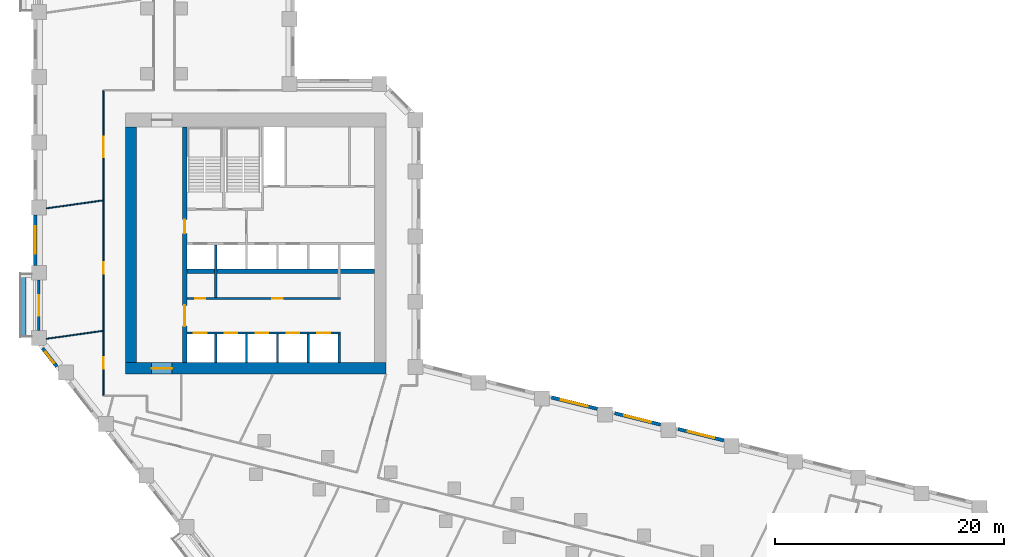
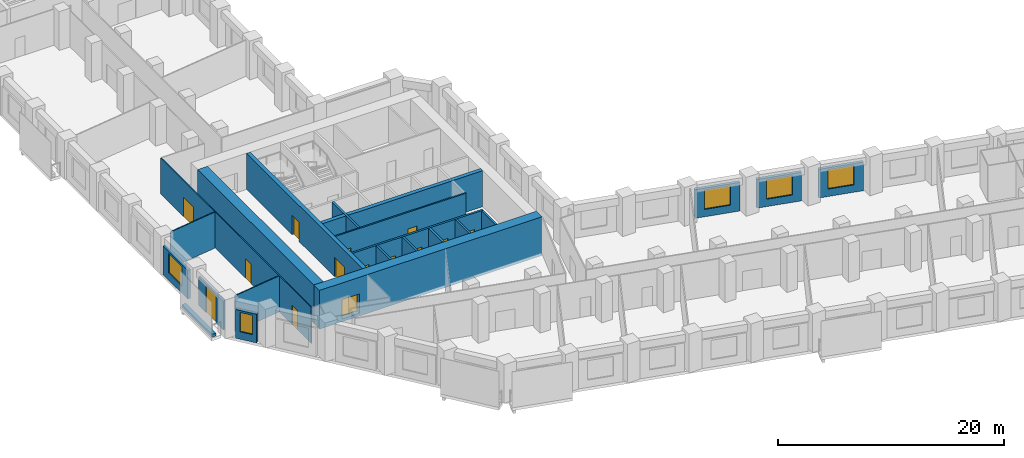
# One storey, part 4 of 11: 22 walls, 14 doors, 5 windows, 19 openings.
"""IFC4 building model written with IfcOpenShell, lengths in metres."""

from ifc_helpers import new_model, si_unit, direction, frame, frame_2d, origin, place, context, subcontext, project, spatial, rectangle, extrude, material, layer, layer_set, type_object, element, fill, save


model = new_model("IFC4")

# Units and contexts
model_context = context("Model", 3, precision=1e-05, world=origin(), true_north=direction((0.0, 1.0)))
body_context = subcontext(model_context, "Body", "Model", "MODEL_VIEW")
ifc_project = project(units=[si_unit("LENGTHUNIT", "METRE"), si_unit("AREAUNIT", "SQUARE_METRE"), si_unit("VOLUMEUNIT", "CUBIC_METRE"), si_unit("PLANEANGLEUNIT", "RADIAN"), si_unit("MASSUNIT", "GRAM", prefix="KILO")], contexts=[model_context])

# Site, building, storey
site_placement = place(None, origin())
site = spatial("IfcSite", under=ifc_project, at=site_placement, CompositionType="ELEMENT")
building_placement = place(site_placement, origin())
building = spatial("IfcBuilding", under=site, at=building_placement, Name="Meshkara Civic Tower", CompositionType="ELEMENT")
storey_placement = place(building_placement, frame((0.0, 0.0, 105.60009765625)))
storey = spatial("IfcBuildingStorey", under=building, at=storey_placement, Name="L23", CompositionType="ELEMENT", Elevation=105.60009765625)

# Wall, openings, doors
ifc_material_1 = material(Name="Blockwork", Category="masonry")
ifc_layer_1 = layer(ifc_material_1, 0.14990234375)
ifc_layer_set_1 = layer_set([ifc_layer_1], Name="Core partition 150")
wall_type_1 = type_object("IfcWallType", Name="Core partition 150", PredefinedType="PARTITIONING", material=ifc_layer_set_1)
wall_1_placement = place(storey_placement, frame((13.39990234375, 20.699951171875, 0.0), z_axis=(0.0, 0.0, 1.0), x_axis=(1.0, 0.0, 0.0)))
wall_1 = element("IfcWall", 1, at=wall_1_placement, inside=storey, type_object=wall_type_1, Name="L23-C006", PredefinedType="PARTITIONING", context=body_context, shape_type="SweptSolid", body=[
    extrude(rectangle(XDim=13.400146484375, YDim=0.14990234375, at=frame_2d((6.7001953125, 0.0))), origin(), (0.0, 0.0, 1.0), 3.89990234375),
])
opening_1_placement = place(wall_1_placement, frame((0.699951171875, 0.0, 0.0)))
opening_1 = element("IfcOpeningElement", 2, at=opening_1_placement, cuts=wall_1, Name="Opening L23-K010", PredefinedType="OPENING", context=body_context, shape_type="SweptSolid", body=[
    extrude(rectangle(XDim=0.89990234375, YDim=2.10009765625, at=frame_2d((0.449951171875, 1.050048828125))), frame((0.0, 0.0849609375, 0.0), z_axis=(0.0, -1.0, 0.0), x_axis=(1.0, 0.0, 0.0)), (0.0, 0.0, 1.0), 0.169921875),
])
opening_2_placement = place(wall_1_placement, frame((7.449951171875, 0.0, 0.0)))
opening_2 = element("IfcOpeningElement", 3, at=opening_2_placement, cuts=wall_1, Name="Opening L23-K011", PredefinedType="OPENING", context=body_context, shape_type="SweptSolid", body=[
    extrude(rectangle(XDim=0.89990234375, YDim=2.10009765625, at=frame_2d((0.449951171875, 1.050048828125))), frame((0.0, 0.0849609375, 0.0), z_axis=(0.0, -1.0, 0.0), x_axis=(1.0, 0.0, 0.0)), (0.0, 0.0, 1.0), 0.169921875),
])
ifc_material_2 = material(Name="Timber door leaf in steel frame", Category="steel")
door_type_1 = type_object("IfcDoorType", Name="Core room door 900", OperationType="SINGLE_SWING_LEFT", PredefinedType="DOOR", material=ifc_material_2)
door_1_placement = place(opening_1_placement, origin())
door_1 = element("IfcDoor", 4, at=door_1_placement, inside=storey, type_object=door_type_1, Name="L23-K010", OperationType="SINGLE_SWING_RIGHT", OverallHeight=2.10009765625, OverallWidth=0.89990234375, PredefinedType="DOOR", context=body_context, shape_type="SweptSolid", body=[
    extrude(rectangle(XDim=0.89990234375, YDim=2.10009765625, at=frame_2d((0.449951171875, 1.050048828125))), frame((0.0, 0.02490234375, 0.0), z_axis=(0.0, -1.0, 0.0), x_axis=(1.0, 0.0, 0.0)), (0.0, 0.0, 1.0), 0.050048828125),
])
fill(opening_1, door_1)
door_2_placement = place(opening_2_placement, origin())
door_2 = element("IfcDoor", 5, at=door_2_placement, inside=storey, type_object=door_type_1, Name="L23-K011", OperationType="SINGLE_SWING_LEFT", OverallHeight=2.10009765625, OverallWidth=0.89990234375, PredefinedType="DOOR", context=body_context, shape_type="SweptSolid", body=[
    extrude(rectangle(XDim=0.89990234375, YDim=2.10009765625, at=frame_2d((0.449951171875, 1.050048828125))), frame((0.0, 0.02490234375, 0.0), z_axis=(0.0, -1.0, 0.0), x_axis=(1.0, 0.0, 0.0)), (0.0, 0.0, 1.0), 0.050048828125),
])
fill(opening_2, door_2)

# Wall, opening, door
ifc_material_3 = material(Name="Concrete C70", Category="concrete")
ifc_layer_2 = layer(ifc_material_3, 1.0)
ifc_layer_set_2 = layer_set([ifc_layer_2], Name="Core ring wall 1000 C70")
wall_type_2 = type_object("IfcWallType", Name="Core ring wall 1000 C70", PredefinedType="SHEAR", material=ifc_layer_set_2)
wall_2_placement = place(storey_placement, frame((8.0, 14.60009765625, -0.300048828125), z_axis=(0.0, 0.0, 1.0), x_axis=(1.0, 0.0, 0.0)))
wall_2 = element("IfcWall", 6, at=wall_2_placement, inside=storey, type_object=wall_type_2, Name="L23-C001", PredefinedType="SHEAR", context=body_context, shape_type="SweptSolid", body=[
    extrude(rectangle(XDim=22.800048828125, YDim=1.0, at=frame_2d((11.39990234375, 0.0))), origin(), (0.0, 0.0, 1.0), 4.199951171875),
])
opening_3_placement = place(wall_2_placement, frame((2.300048828125, 0.0, 0.300048828125)))
opening_3 = element("IfcOpeningElement", 7, at=opening_3_placement, cuts=wall_2, Name="Opening L23-K021", PredefinedType="OPENING", context=body_context, shape_type="SweptSolid", body=[
    extrude(rectangle(XDim=1.800048828125, YDim=2.10009765625, at=frame_2d((0.89990234375, 1.050048828125))), frame((0.0, 0.510009765625, 0.0), z_axis=(0.0, -1.0, 0.0), x_axis=(1.0, 0.0, 0.0)), (0.0, 0.0, 1.0), 1.02001953125),
])
ifc_material_4 = material(Name="Fire-rated door leaf in steel frame", Category="steel")
door_type_2 = type_object("IfcDoorType", Name="Core double door 1800 EI 60", OperationType="DOUBLE_DOOR_SINGLE_SWING", PredefinedType="DOOR", material=ifc_material_4)
door_3_placement = place(opening_3_placement, origin())
door_3 = element("IfcDoor", 8, at=door_3_placement, inside=storey, type_object=door_type_2, Name="L23-K021", OperationType="DOUBLE_DOOR_SINGLE_SWING", OverallHeight=2.10009765625, OverallWidth=1.800048828125, PredefinedType="DOOR", context=body_context, shape_type="SweptSolid", body=[
    extrude(rectangle(XDim=1.800048828125, YDim=2.10009765625, at=frame_2d((0.89990234375, 1.050048828125))), frame((0.0, 0.02490234375, 0.0), z_axis=(0.0, -1.0, 0.0), x_axis=(1.0, 0.0, 0.0)), (0.0, 0.0, 1.0), 0.050048828125),
])
fill(opening_3, door_3)

# Walls
wall_3_placement = place(storey_placement, frame((8.5, 15.10009765625, -0.300048828125), z_axis=(0.0, 0.0, 1.0), x_axis=(0.0, 1.0, 0.0)))
element("IfcWall", 9, at=wall_3_placement, inside=storey, type_object=wall_type_2, Name="L23-C003", PredefinedType="SHEAR", context=body_context, shape_type="SweptSolid", body=[
    extrude(rectangle(XDim=20.599853515625, YDim=1.0, at=frame_2d((10.2998046875, 0.0))), origin(), (0.0, 0.0, 1.0), 4.199951171875),
])
ifc_material_5 = material(Name="Concrete C70", Category="concrete")
ifc_layer_3 = layer(ifc_material_5, 0.39990234375)
ifc_layer_set_3 = layer_set([ifc_layer_3], Name="Core shear wall 400 C70")
wall_type_3 = type_object("IfcWallType", Name="Core shear wall 400 C70", PredefinedType="SHEAR", material=ifc_layer_set_3)
wall_4_placement = place(storey_placement, frame((13.39990234375, 23.10009765625, 0.0), z_axis=(0.0, 0.0, 1.0), x_axis=(1.0, 0.0, 0.0)))
element("IfcWall", 10, at=wall_4_placement, inside=storey, type_object=wall_type_3, Name="L23-C007", PredefinedType="SHEAR", context=body_context, shape_type="SweptSolid", body=[
    extrude(rectangle(XDim=16.400146484375, YDim=0.39990234375, at=frame_2d((8.2001953125, 0.0))), origin(), (0.0, 0.0, 1.0), 3.89990234375),
])

# Wall, openings, doors
wall_5_placement = place(storey_placement, frame((13.199951171875, 15.10009765625, 0.0), z_axis=(0.0, 0.0, 1.0), x_axis=(0.0, 1.0, 0.0)))
wall_5 = element("IfcWall", 11, at=wall_5_placement, inside=storey, type_object=wall_type_3, Name="L23-C011", PredefinedType="SHEAR", context=body_context, shape_type="SweptSolid", body=[
    extrude(rectangle(XDim=20.599853515625, YDim=0.39990234375, at=frame_2d((10.2998046875, 0.0))), origin(), (0.0, 0.0, 1.0), 3.89990234375),
])
opening_4_placement = place(wall_5_placement, frame((3.199951171875, 0.0, 0.0)))
opening_4 = element("IfcOpeningElement", 12, at=opening_4_placement, cuts=wall_5, Name="Opening L23-K017", PredefinedType="OPENING", context=body_context, shape_type="SweptSolid", body=[
    extrude(rectangle(XDim=1.800048828125, YDim=2.10009765625, at=frame_2d((0.89990234375, 1.050048828125))), frame((0.0, 0.2099609375, 0.0), z_axis=(0.0, -1.0, 0.0), x_axis=(1.0, 0.0, 0.0)), (0.0, 0.0, 1.0), 0.419921875),
])
opening_5_placement = place(wall_5_placement, frame((11.300048828125, 0.0, 0.0)))
opening_5 = element("IfcOpeningElement", 13, at=opening_5_placement, cuts=wall_5, Name="Opening L23-K018", PredefinedType="OPENING", context=body_context, shape_type="SweptSolid", body=[
    extrude(rectangle(XDim=1.199951171875, YDim=2.10009765625, at=frame_2d((0.60009765625, 1.050048828125))), frame((0.0, 0.2099609375, 0.0), z_axis=(0.0, -1.0, 0.0), x_axis=(1.0, 0.0, 0.0)), (0.0, 0.0, 1.0), 0.419921875),
])
door_4_placement = place(opening_4_placement, origin())
door_4 = element("IfcDoor", 14, at=door_4_placement, inside=storey, type_object=door_type_2, Name="L23-K017", OperationType="DOUBLE_DOOR_SINGLE_SWING", OverallHeight=2.10009765625, OverallWidth=1.800048828125, PredefinedType="DOOR", context=body_context, shape_type="SweptSolid", body=[
    extrude(rectangle(XDim=1.800048828125, YDim=2.10009765625, at=frame_2d((0.89990234375, 1.050048828125))), frame((0.0, 0.02490234375, 0.0), z_axis=(0.0, -1.0, 0.0), x_axis=(1.0, 0.0, 0.0)), (0.0, 0.0, 1.0), 0.050048828125),
])
fill(opening_4, door_4)
ifc_material_6 = material(Name="Fire-rated door leaf in steel frame", Category="steel")
door_type_3 = type_object("IfcDoorType", Name="Fire-fighting lobby door 1200 EI 120", OperationType="SINGLE_SWING_LEFT", PredefinedType="DOOR", material=ifc_material_6)
door_5_placement = place(opening_5_placement, origin())
door_5 = element("IfcDoor", 15, at=door_5_placement, inside=storey, type_object=door_type_3, Name="L23-K018", OperationType="SINGLE_SWING_LEFT", OverallHeight=2.10009765625, OverallWidth=1.199951171875, PredefinedType="DOOR", context=body_context, shape_type="SweptSolid", body=[
    extrude(rectangle(XDim=1.199951171875, YDim=2.10009765625, at=frame_2d((0.60009765625, 1.050048828125))), frame((0.0, 0.02490234375, 0.0), z_axis=(0.0, -1.0, 0.0), x_axis=(1.0, 0.0, 0.0)), (0.0, 0.0, 1.0), 0.050048828125),
])
fill(opening_5, door_5)

ifc_material_7 = material(Name="Corridor wall 100")
ifc_layer_4 = layer(ifc_material_7, 0.10009765625)
ifc_layer_set_4 = layer_set([ifc_layer_4], Name="Corridor wall 100")
wall_type_4 = type_object("IfcWallType", Name="Corridor wall 100", PredefinedType="PARTITIONING", material=ifc_layer_set_4)
wall_6_placement = place(storey_placement, frame((6.10009765625, 12.199951171875, 0.0), z_axis=(0.0, 0.0, 1.0), x_axis=(0.0, 1.0, 0.0)))
wall_6 = element("IfcWall", 16, at=wall_6_placement, inside=storey, type_object=wall_type_4, Name="L23-W004", PredefinedType="PARTITIONING", context=body_context, shape_type="SweptSolid", body=[
    extrude(rectangle(XDim=26.699951171875, YDim=0.10009765625, at=frame_2d((13.35009765625, 0.0))), origin(), (0.0, 0.0, 1.0), 3.89990234375),
])
opening_6_placement = place(wall_6_placement, frame((2.3798828125, 0.0, 0.0)))
opening_6 = element("IfcOpeningElement", 17, at=opening_6_placement, cuts=wall_6, Name="Opening L23-D018", PredefinedType="OPENING", context=body_context, shape_type="SweptSolid", body=[
    extrude(rectangle(XDim=1.0, YDim=2.10009765625, at=frame_2d((0.5, 1.050048828125))), frame((0.0, 0.06005859375, 0.0), z_axis=(0.0, -1.0, 0.0), x_axis=(1.0, 0.0, 0.0)), (0.0, 0.0, 1.0), 0.1201171875),
])
opening_7_placement = place(wall_6_placement, frame((10.658935546875, 0.0, 0.0)))
opening_7 = element("IfcOpeningElement", 18, at=opening_7_placement, cuts=wall_6, Name="Opening L23-D019", PredefinedType="OPENING", context=body_context, shape_type="SweptSolid", body=[
    extrude(rectangle(XDim=1.0, YDim=2.10009765625, at=frame_2d((0.5, 1.050048828125))), frame((0.0, 0.06005859375, 0.0), z_axis=(0.0, -1.0, 0.0), x_axis=(1.0, 0.0, 0.0)), (0.0, 0.0, 1.0), 0.1201171875),
])
opening_8_placement = place(wall_6_placement, frame((20.85888671875, 0.0, 0.0)))
opening_8 = element("IfcOpeningElement", 19, at=opening_8_placement, cuts=wall_6, Name="Opening L23-D020", PredefinedType="OPENING", context=body_context, shape_type="SweptSolid", body=[
    extrude(rectangle(XDim=1.800048828125, YDim=2.10009765625, at=frame_2d((0.89990234375, 1.050048828125))), frame((0.0, 0.06005859375, 0.0), z_axis=(0.0, -1.0, 0.0), x_axis=(1.0, 0.0, 0.0)), (0.0, 0.0, 1.0), 0.1201171875),
])
ifc_material_8 = material(Name="Door 1000 x 2100")
door_type_4 = type_object("IfcDoorType", Name="Door 1000 x 2100", OperationType="SINGLE_SWING_LEFT", PredefinedType="DOOR", material=ifc_material_8)
door_6_placement = place(opening_6_placement, origin())
door_6 = element("IfcDoor", 20, at=door_6_placement, inside=storey, type_object=door_type_4, Name="L23-D018", OperationType="SINGLE_SWING_RIGHT", OverallHeight=2.10009765625, OverallWidth=1.0, PredefinedType="DOOR", context=body_context, shape_type="SweptSolid", body=[
    extrude(rectangle(XDim=1.0, YDim=2.10009765625, at=frame_2d((0.5, 1.050048828125))), frame((0.0, 0.02490234375, 0.0), z_axis=(0.0, -1.0, 0.0), x_axis=(1.0, 0.0, 0.0)), (0.0, 0.0, 1.0), 0.050048828125),
])
fill(opening_6, door_6)
door_7_placement = place(opening_7_placement, origin())
door_7 = element("IfcDoor", 21, at=door_7_placement, inside=storey, type_object=door_type_4, Name="L23-D019", OperationType="SINGLE_SWING_LEFT", OverallHeight=2.10009765625, OverallWidth=1.0, PredefinedType="DOOR", context=body_context, shape_type="SweptSolid", body=[
    extrude(rectangle(XDim=1.0, YDim=2.10009765625, at=frame_2d((0.5, 1.050048828125))), frame((0.0, 0.02490234375, 0.0), z_axis=(0.0, -1.0, 0.0), x_axis=(1.0, 0.0, 0.0)), (0.0, 0.0, 1.0), 0.050048828125),
])
fill(opening_7, door_7)
ifc_material_9 = material(Name="Door pair 1800 x 2100")
door_type_5 = type_object("IfcDoorType", Name="Door pair 1800 x 2100", OperationType="SINGLE_SWING_LEFT", PredefinedType="DOOR", material=ifc_material_9)
door_8_placement = place(opening_8_placement, origin())
door_8 = element("IfcDoor", 22, at=door_8_placement, inside=storey, type_object=door_type_5, Name="L23-D020", OperationType="DOUBLE_DOOR_SINGLE_SWING", OverallHeight=2.10009765625, OverallWidth=1.800048828125, PredefinedType="DOOR", context=body_context, shape_type="SweptSolid", body=[
    extrude(rectangle(XDim=1.800048828125, YDim=2.10009765625, at=frame_2d((0.89990234375, 1.050048828125))), frame((0.0, 0.02490234375, 0.0), z_axis=(0.0, -1.0, 0.0), x_axis=(1.0, 0.0, 0.0)), (0.0, 0.0, 1.0), 0.050048828125),
])
fill(opening_8, door_8)

# Wall, opening, window
ifc_material_10 = material(Name="Insulated infill panel with bronze anodised aluminium cladding", Category="aluminium")
ifc_layer_5 = layer(ifc_material_10, 0.300048828125)
ifc_layer_set_5 = layer_set([ifc_layer_5], Name="EXTERNAL INFILL WALL 300")
wall_type_5 = type_object("IfcWallType", Name="EXTERNAL INFILL WALL 300", PredefinedType="SOLIDWALL", material=ifc_layer_set_5)
wall_7_placement = place(storey_placement, frame((60.31103515625, 8.305908203125, 0.0), z_axis=(0.0, 0.0, 1.0), x_axis=(-0.970267747908, 0.242034083076, 0.0)))
wall_7 = element("IfcWall", 23, at=wall_7_placement, inside=storey, type_object=wall_type_5, Name="External wall", PredefinedType="SOLIDWALL", context=body_context, shape_type="SweptSolid", body=[
    extrude(rectangle(XDim=4.12353515625, YDim=0.300048828125, at=frame_2d((2.061767578125, 0.0))), origin(), (0.0, 0.0, 1.0), 3.099853515625),
])
opening_9_placement = place(wall_7_placement, frame((0.862060546875, 0.0, 0.800048828125)))
opening_9 = element("IfcOpeningElement", 24, at=opening_9_placement, cuts=wall_7, Name="Opening W7", PredefinedType="OPENING", context=body_context, shape_type="SweptSolid", body=[
    extrude(rectangle(XDim=2.39990234375, YDim=2.10009765625, at=frame_2d((1.199951171875, 1.050048828125))), frame((0.0, 0.159912109375, 0.0), z_axis=(0.0, -1.0, 0.0), x_axis=(1.0, 0.0, 0.0)), (0.0, 0.0, 1.0), 0.320068359375),
])
ifc_material_11 = material(Name="Tinted double glazing", Category="glass")
window_type_1 = type_object("IfcWindowType", Name="WINDOW 2400x2100", PartitioningType="DOUBLE_PANEL_VERTICAL", PredefinedType="WINDOW", material=ifc_material_11)
window_1_placement = place(opening_9_placement, origin())
window_1 = element("IfcWindow", 25, at=window_1_placement, inside=storey, type_object=window_type_1, Name="Window", OverallHeight=2.10009765625, OverallWidth=2.39990234375, PartitioningType="DOUBLE_PANEL_VERTICAL", PredefinedType="WINDOW", context=body_context, shape_type="SweptSolid", body=[
    extrude(rectangle(XDim=2.39990234375, YDim=2.10009765625, at=frame_2d((1.199951171875, 1.050048828125))), frame((0.0, 0.030029296875, 0.0), z_axis=(0.0, -1.0, 0.0), x_axis=(1.0, 0.0, 0.0)), (0.0, 0.0, 1.0), 0.06005859375),
])
fill(opening_9, window_1)

wall_8_placement = place(storey_placement, frame((54.781005859375, 9.68505859375, 0.0), z_axis=(0.0, 0.0, 1.0), x_axis=(-0.970281616392, 0.241978480223, 0.0)))
wall_8 = element("IfcWall", 26, at=wall_8_placement, inside=storey, type_object=wall_type_5, Name="External wall", PredefinedType="SOLIDWALL", context=body_context, shape_type="SweptSolid", body=[
    extrude(rectangle(XDim=4.12451171875, YDim=0.300048828125, at=frame_2d((2.062255859375, 0.0))), origin(), (0.0, 0.0, 1.0), 3.099853515625),
])
opening_10_placement = place(wall_8_placement, frame((0.862060546875, 0.0, 0.800048828125)))
opening_10 = element("IfcOpeningElement", 27, at=opening_10_placement, cuts=wall_8, Name="Opening W7", PredefinedType="OPENING", context=body_context, shape_type="SweptSolid", body=[
    extrude(rectangle(XDim=2.39990234375, YDim=2.10009765625, at=frame_2d((1.199951171875, 1.050048828125))), frame((0.0, 0.159912109375, 0.0), z_axis=(0.0, -1.0, 0.0), x_axis=(1.0, 0.0, 0.0)), (0.0, 0.0, 1.0), 0.320068359375),
])
window_2_placement = place(opening_10_placement, origin())
window_2 = element("IfcWindow", 28, at=window_2_placement, inside=storey, type_object=window_type_1, Name="Window", OverallHeight=2.10009765625, OverallWidth=2.39990234375, PartitioningType="DOUBLE_PANEL_VERTICAL", PredefinedType="WINDOW", context=body_context, shape_type="SweptSolid", body=[
    extrude(rectangle(XDim=2.39990234375, YDim=2.10009765625, at=frame_2d((1.199951171875, 1.050048828125))), frame((0.0, 0.030029296875, 0.0), z_axis=(0.0, -1.0, 0.0), x_axis=(1.0, 0.0, 0.0)), (0.0, 0.0, 1.0), 0.06005859375),
])
fill(opening_10, window_2)

wall_9_placement = place(storey_placement, frame((49.25, 11.06396484375, 0.0), z_axis=(0.0, 0.0, 1.0), x_axis=(-0.970281616392, 0.241978480223, 0.0)))
wall_9 = element("IfcWall", 29, at=wall_9_placement, inside=storey, type_object=wall_type_5, Name="External wall", PredefinedType="SOLIDWALL", context=body_context, shape_type="SweptSolid", body=[
    extrude(rectangle(XDim=4.12451171875, YDim=0.300048828125, at=frame_2d((2.062255859375, 0.0))), origin(), (0.0, 0.0, 1.0), 3.099853515625),
])
opening_11_placement = place(wall_9_placement, frame((0.862060546875, 0.0, 0.800048828125)))
opening_11 = element("IfcOpeningElement", 30, at=opening_11_placement, cuts=wall_9, Name="Opening W7", PredefinedType="OPENING", context=body_context, shape_type="SweptSolid", body=[
    extrude(rectangle(XDim=2.39990234375, YDim=2.10009765625, at=frame_2d((1.199951171875, 1.050048828125))), frame((0.0, 0.159912109375, 0.0), z_axis=(0.0, -1.0, 0.0), x_axis=(1.0, 0.0, 0.0)), (0.0, 0.0, 1.0), 0.320068359375),
])
window_3_placement = place(opening_11_placement, origin())
window_3 = element("IfcWindow", 31, at=window_3_placement, inside=storey, type_object=window_type_1, Name="Window", OverallHeight=2.10009765625, OverallWidth=2.39990234375, PartitioningType="DOUBLE_PANEL_VERTICAL", PredefinedType="WINDOW", context=body_context, shape_type="SweptSolid", body=[
    extrude(rectangle(XDim=2.39990234375, YDim=2.10009765625, at=frame_2d((1.199951171875, 1.050048828125))), frame((0.0, 0.030029296875, 0.0), z_axis=(0.0, -1.0, 0.0), x_axis=(1.0, 0.0, 0.0)), (0.0, 0.0, 1.0), 0.06005859375),
])
fill(opening_11, window_3)

wall_10_placement = place(storey_placement, frame((0.14990234375, 28.0048828125, 0.0), z_axis=(0.0, 0.0, 1.0), x_axis=(0.0, -1.0, 0.0)))
wall_10 = element("IfcWall", 32, at=wall_10_placement, inside=storey, type_object=wall_type_5, Name="External wall", PredefinedType="SOLIDWALL", context=body_context, shape_type="SweptSolid", body=[
    extrude(rectangle(XDim=4.39990234375, YDim=0.300048828125, at=frame_2d((2.199951171875, 0.0))), origin(), (0.0, 0.0, 1.0), 3.099853515625),
])
opening_12_placement = place(wall_10_placement, frame((1.0, 0.0, 0.800048828125)))
opening_12 = element("IfcOpeningElement", 33, at=opening_12_placement, cuts=wall_10, Name="Opening W7", PredefinedType="OPENING", context=body_context, shape_type="SweptSolid", body=[
    extrude(rectangle(XDim=2.39990234375, YDim=2.10009765625, at=frame_2d((1.199951171875, 1.050048828125))), frame((0.0, 0.159912109375, 0.0), z_axis=(0.0, -1.0, 0.0), x_axis=(1.0, 0.0, 0.0)), (0.0, 0.0, 1.0), 0.320068359375),
])
window_4_placement = place(opening_12_placement, origin())
window_4 = element("IfcWindow", 34, at=window_4_placement, inside=storey, type_object=window_type_1, Name="Window", OverallHeight=2.10009765625, OverallWidth=2.39990234375, PartitioningType="DOUBLE_PANEL_VERTICAL", PredefinedType="WINDOW", context=body_context, shape_type="SweptSolid", body=[
    extrude(rectangle(XDim=2.39990234375, YDim=2.10009765625, at=frame_2d((1.199951171875, 1.050048828125))), frame((0.0, 0.030029296875, 0.0), z_axis=(0.0, -1.0, 0.0), x_axis=(1.0, 0.0, 0.0)), (0.0, 0.0, 1.0), 0.06005859375),
])
fill(opening_12, window_4)

wall_11_placement = place(storey_placement, frame((0.77490234375, 16.35107421875, 0.0), z_axis=(0.0, 0.0, 1.0), x_axis=(0.6157921118, -0.787908671766, 0.0)))
wall_11 = element("IfcWall", 35, at=wall_11_placement, inside=storey, type_object=wall_type_5, Name="External wall", PredefinedType="SOLIDWALL", context=body_context, shape_type="SweptSolid", body=[
    extrude(rectangle(XDim=2.015625, YDim=0.300048828125, at=frame_2d((1.0078125, 0.0))), origin(), (0.0, 0.0, 1.0), 3.099853515625),
])
opening_13_placement = place(wall_11_placement, frame((0.407958984375, 0.0, 0.800048828125)))
opening_13 = element("IfcOpeningElement", 36, at=opening_13_placement, cuts=wall_11, Name="Opening W3", PredefinedType="OPENING", context=body_context, shape_type="SweptSolid", body=[
    extrude(rectangle(XDim=1.199951171875, YDim=2.10009765625, at=frame_2d((0.60009765625, 1.050048828125))), frame((0.0, 0.159912109375, 0.0), z_axis=(0.0, -1.0, 0.0), x_axis=(1.0, 0.0, 0.0)), (0.0, 0.0, 1.0), 0.320068359375),
])
ifc_material_12 = material(Name="Tinted double glazing", Category="glass")
window_type_2 = type_object("IfcWindowType", Name="WINDOW 1200x2100", PartitioningType="SINGLE_PANEL", PredefinedType="WINDOW", material=ifc_material_12)
window_5_placement = place(opening_13_placement, origin())
window_5 = element("IfcWindow", 37, at=window_5_placement, inside=storey, type_object=window_type_2, Name="Window", OverallHeight=2.10009765625, OverallWidth=1.199951171875, PartitioningType="SINGLE_PANEL", PredefinedType="WINDOW", context=body_context, shape_type="SweptSolid", body=[
    extrude(rectangle(XDim=1.199951171875, YDim=2.10009765625, at=frame_2d((0.60009765625, 1.050048828125))), frame((0.0, 0.030029296875, 0.0), z_axis=(0.0, -1.0, 0.0), x_axis=(1.0, 0.0, 0.0)), (0.0, 0.0, 1.0), 0.06005859375),
])
fill(opening_13, window_5)

# Wall, opening, door
ifc_material_13 = material(Name="Insulated infill panel with bronze anodised aluminium cladding", Category="aluminium")
ifc_layer_6 = layer(ifc_material_13, 0.199951171875)
ifc_layer_set_6 = layer_set([ifc_layer_6], Name="LOGGIA BACK WALL 200")
wall_type_6 = type_object("IfcWallType", Name="LOGGIA BACK WALL 200", PredefinedType="SOLIDWALL", material=ifc_layer_set_6)
wall_12_placement = place(storey_placement, frame((0.449951171875, 22.303955078125, 0.0), z_axis=(0.0, 0.0, 1.0), x_axis=(0.0, -1.0, 0.0)))
wall_12 = element("IfcWall", 38, at=wall_12_placement, inside=storey, type_object=wall_type_6, Name="Loggia wall", PredefinedType="SOLIDWALL", context=body_context, shape_type="SweptSolid", body=[
    extrude(rectangle(XDim=4.39892578125, YDim=0.199951171875, at=frame_2d((2.199462890625, 0.0))), origin(), (0.0, 0.0, 1.0), 3.099853515625),
])
opening_14_placement = place(wall_12_placement, frame((1.300048828125, 0.0, 0.0)))
opening_14 = element("IfcOpeningElement", 39, at=opening_14_placement, cuts=wall_12, Name="Opening L23-L002", PredefinedType="OPENING", context=body_context, shape_type="SweptSolid", body=[
    extrude(rectangle(XDim=1.800048828125, YDim=2.89990234375, at=frame_2d((0.89990234375, 1.449951171875))), frame((0.0, 0.10986328125, 0.0), z_axis=(0.0, -1.0, 0.0), x_axis=(1.0, 0.0, 0.0)), (0.0, 0.0, 1.0), 0.219970703125),
])
ifc_material_14 = material(Name="Tinted double glazing", Category="glass")
door_type_6 = type_object("IfcDoorType", Name="LOGGIA DOOR 1800x2900", OperationType="DOUBLE_DOOR_SINGLE_SWING", PredefinedType="DOOR", material=ifc_material_14)
door_9_placement = place(opening_14_placement, origin())
door_9 = element("IfcDoor", 40, at=door_9_placement, inside=storey, type_object=door_type_6, Name="L23-L002", OperationType="DOUBLE_DOOR_SINGLE_SWING", OverallHeight=2.89990234375, OverallWidth=1.800048828125, PredefinedType="DOOR", context=body_context, shape_type="SweptSolid", body=[
    extrude(rectangle(XDim=1.800048828125, YDim=2.89990234375, at=frame_2d((0.89990234375, 1.449951171875))), frame((0.0, 0.02490234375, 0.0), z_axis=(0.0, -1.0, 0.0), x_axis=(1.0, 0.0, 0.0)), (0.0, 0.0, 1.0), 0.050048828125),
])
fill(opening_14, door_9)

# Walls
ifc_material_15 = material(Name="Concrete C40", Category="concrete")
ifc_layer_7 = layer(ifc_material_15, 0.39990234375)
ifc_layer_set_7 = layer_set([ifc_layer_7], Name="PLANTER TRAY")
wall_type_7 = type_object("IfcWallType", Name="PLANTER TRAY", PredefinedType="SOLIDWALL", material=ifc_layer_set_7)
wall_13_placement = place(storey_placement, frame((-0.8798828125, 22.784912109375, 0.0), z_axis=(0.0, 0.0, 1.0), x_axis=(0.0, -1.0, 0.0)))
element("IfcWall", 41, at=wall_13_placement, inside=storey, type_object=wall_type_7, Name="Planter", PredefinedType="SOLIDWALL", context=body_context, shape_type="SweptSolid", body=[
    extrude(rectangle(XDim=5.35986328125, YDim=0.39990234375, at=frame_2d((2.679931640625, 0.0))), origin(), (0.0, 0.0, 1.0), 0.2998046875),
])
ifc_material_16 = material(Name="Partition 100")
ifc_layer_8 = layer(ifc_material_16, 0.10009765625)
ifc_layer_set_8 = layer_set([ifc_layer_8], Name="Partition 100")
wall_type_8 = type_object("IfcWallType", Name="Partition 100", PredefinedType="PARTITIONING", material=ifc_layer_set_8)
for number, where, z_axis, x_axis, name in (
    (42, (6.04296875, 17.87890625, 0.0), (0.0, 0.0, 1.0), (-0.990263954585, -0.139202371567, 0.0), "L23-W033"),
    (43, (6.04296875, 29.279052734375, 0.0), (0.0, 0.0, 1.0), (-0.990257211149, -0.139250334888, 0.0), "L23-W034"),
):
    element("IfcWall", number, at=place(storey_placement, frame(where, z_axis=z_axis, x_axis=x_axis)), inside=storey, type_object=wall_type_8, Name=name, PredefinedType="PARTITIONING", context=body_context, shape_type="SweptSolid", body=[
        extrude(rectangle(XDim=4.991455078125, YDim=0.10009765625, at=frame_2d((2.49560546875, 0.0))), origin(), (0.0, 0.0, 1.0), 3.89990234375),
    ])

# Wall, openings, doors
ifc_material_17 = material(Name="Concrete C40/50", Category="concrete")
ifc_layer_9 = layer(ifc_material_17, 0.199951171875)
ifc_layer_set_9 = layer_set([ifc_layer_9], Name="Shaft wall 200 C40/50")
wall_type_9 = type_object("IfcWallType", Name="Shaft wall 200 C40/50", PredefinedType="SOLIDWALL", material=ifc_layer_set_9)
wall_14_placement = place(storey_placement, frame((13.39990234375, 17.699951171875, 0.0), z_axis=(0.0, 0.0, 1.0), x_axis=(1.0, 0.0, 0.0)))
wall_14 = element("IfcWall", 44, at=wall_14_placement, inside=storey, type_object=wall_type_9, Name="L23-C005", PredefinedType="SOLIDWALL", context=body_context, shape_type="SweptSolid", body=[
    extrude(rectangle(XDim=13.400146484375, YDim=0.199951171875, at=frame_2d((6.7001953125, 0.0))), origin(), (0.0, 0.0, 1.0), 3.89990234375),
])
opening_15_placement = place(wall_14_placement, frame((0.60009765625, 0.0, 0.0)))
opening_15 = element("IfcOpeningElement", 45, at=opening_15_placement, cuts=wall_14, Name="Opening L23-K001", PredefinedType="OPENING", context=body_context, shape_type="SweptSolid", body=[
    extrude(rectangle(XDim=1.10009765625, YDim=2.10009765625, at=frame_2d((0.550048828125, 1.050048828125))), frame((0.0, 0.10986328125, 0.0), z_axis=(0.0, -1.0, 0.0), x_axis=(1.0, 0.0, 0.0)), (0.0, 0.0, 1.0), 0.219970703125),
])
opening_16_placement = place(wall_14_placement, frame((3.300048828125, 0.0, 0.0)))
opening_16 = element("IfcOpeningElement", 46, at=opening_16_placement, cuts=wall_14, Name="Opening L23-K002", PredefinedType="OPENING", context=body_context, shape_type="SweptSolid", body=[
    extrude(rectangle(XDim=1.10009765625, YDim=2.10009765625, at=frame_2d((0.550048828125, 1.050048828125))), frame((0.0, 0.10986328125, 0.0), z_axis=(0.0, -1.0, 0.0), x_axis=(1.0, 0.0, 0.0)), (0.0, 0.0, 1.0), 0.219970703125),
])
opening_17_placement = place(wall_14_placement, frame((6.0, 0.0, 0.0)))
opening_17 = element("IfcOpeningElement", 47, at=opening_17_placement, cuts=wall_14, Name="Opening L23-K003", PredefinedType="OPENING", context=body_context, shape_type="SweptSolid", body=[
    extrude(rectangle(XDim=1.10009765625, YDim=2.10009765625, at=frame_2d((0.550048828125, 1.050048828125))), frame((0.0, 0.10986328125, 0.0), z_axis=(0.0, -1.0, 0.0), x_axis=(1.0, 0.0, 0.0)), (0.0, 0.0, 1.0), 0.219970703125),
])
opening_18_placement = place(wall_14_placement, frame((8.699951171875, 0.0, 0.0)))
opening_18 = element("IfcOpeningElement", 48, at=opening_18_placement, cuts=wall_14, Name="Opening L23-K004", PredefinedType="OPENING", context=body_context, shape_type="SweptSolid", body=[
    extrude(rectangle(XDim=1.10009765625, YDim=2.10009765625, at=frame_2d((0.550048828125, 1.050048828125))), frame((0.0, 0.10986328125, 0.0), z_axis=(0.0, -1.0, 0.0), x_axis=(1.0, 0.0, 0.0)), (0.0, 0.0, 1.0), 0.219970703125),
])
opening_19_placement = place(wall_14_placement, frame((11.39990234375, 0.0, 0.0)))
opening_19 = element("IfcOpeningElement", 49, at=opening_19_placement, cuts=wall_14, Name="Opening L23-K005", PredefinedType="OPENING", context=body_context, shape_type="SweptSolid", body=[
    extrude(rectangle(XDim=1.10009765625, YDim=2.10009765625, at=frame_2d((0.550048828125, 1.050048828125))), frame((0.0, 0.10986328125, 0.0), z_axis=(0.0, -1.0, 0.0), x_axis=(1.0, 0.0, 0.0)), (0.0, 0.0, 1.0), 0.219970703125),
])
ifc_material_18 = material(Name="Stainless steel landing door", Category="steel")
door_type_7 = type_object("IfcDoorType", Name="Lift landing door 1100", OperationType="SLIDING_TO_LEFT", PredefinedType="DOOR", material=ifc_material_18)
door_10_placement = place(opening_15_placement, origin())
door_10 = element("IfcDoor", 50, at=door_10_placement, inside=storey, type_object=door_type_7, Name="L23-K001", OperationType="SLIDING_TO_LEFT", OverallHeight=2.10009765625, OverallWidth=1.10009765625, PredefinedType="DOOR", context=body_context, shape_type="SweptSolid", body=[
    extrude(rectangle(XDim=1.10009765625, YDim=2.10009765625, at=frame_2d((0.550048828125, 1.050048828125))), frame((0.0, 0.02490234375, 0.0), z_axis=(0.0, -1.0, 0.0), x_axis=(1.0, 0.0, 0.0)), (0.0, 0.0, 1.0), 0.050048828125),
])
fill(opening_15, door_10)
door_11_placement = place(opening_16_placement, origin())
door_11 = element("IfcDoor", 51, at=door_11_placement, inside=storey, type_object=door_type_7, Name="L23-K002", OperationType="SLIDING_TO_LEFT", OverallHeight=2.10009765625, OverallWidth=1.10009765625, PredefinedType="DOOR", context=body_context, shape_type="SweptSolid", body=[
    extrude(rectangle(XDim=1.10009765625, YDim=2.10009765625, at=frame_2d((0.550048828125, 1.050048828125))), frame((0.0, 0.02490234375, 0.0), z_axis=(0.0, -1.0, 0.0), x_axis=(1.0, 0.0, 0.0)), (0.0, 0.0, 1.0), 0.050048828125),
])
fill(opening_16, door_11)
door_12_placement = place(opening_17_placement, origin())
door_12 = element("IfcDoor", 52, at=door_12_placement, inside=storey, type_object=door_type_7, Name="L23-K003", OperationType="SLIDING_TO_LEFT", OverallHeight=2.10009765625, OverallWidth=1.10009765625, PredefinedType="DOOR", context=body_context, shape_type="SweptSolid", body=[
    extrude(rectangle(XDim=1.10009765625, YDim=2.10009765625, at=frame_2d((0.550048828125, 1.050048828125))), frame((0.0, 0.02490234375, 0.0), z_axis=(0.0, -1.0, 0.0), x_axis=(1.0, 0.0, 0.0)), (0.0, 0.0, 1.0), 0.050048828125),
])
fill(opening_17, door_12)
door_13_placement = place(opening_18_placement, origin())
door_13 = element("IfcDoor", 53, at=door_13_placement, inside=storey, type_object=door_type_7, Name="L23-K004", OperationType="SLIDING_TO_LEFT", OverallHeight=2.10009765625, OverallWidth=1.10009765625, PredefinedType="DOOR", context=body_context, shape_type="SweptSolid", body=[
    extrude(rectangle(XDim=1.10009765625, YDim=2.10009765625, at=frame_2d((0.550048828125, 1.050048828125))), frame((0.0, 0.02490234375, 0.0), z_axis=(0.0, -1.0, 0.0), x_axis=(1.0, 0.0, 0.0)), (0.0, 0.0, 1.0), 0.050048828125),
])
fill(opening_18, door_13)
door_14_placement = place(opening_19_placement, origin())
door_14 = element("IfcDoor", 54, at=door_14_placement, inside=storey, type_object=door_type_7, Name="L23-K005", OperationType="SLIDING_TO_LEFT", OverallHeight=2.10009765625, OverallWidth=1.10009765625, PredefinedType="DOOR", context=body_context, shape_type="SweptSolid", body=[
    extrude(rectangle(XDim=1.10009765625, YDim=2.10009765625, at=frame_2d((0.550048828125, 1.050048828125))), frame((0.0, 0.02490234375, 0.0), z_axis=(0.0, -1.0, 0.0), x_axis=(1.0, 0.0, 0.0)), (0.0, 0.0, 1.0), 0.050048828125),
])
fill(opening_19, door_14)

# Walls
wall_15_placement = place(storey_placement, frame((15.89990234375, 15.10009765625, 0.0), z_axis=(0.0, 0.0, 1.0), x_axis=(0.0, 1.0, 0.0)))
element("IfcWall", 55, at=wall_15_placement, inside=storey, type_object=wall_type_9, Name="L23-C012", PredefinedType="SOLIDWALL", context=body_context, shape_type="SweptSolid", body=[
    extrude(rectangle(XDim=2.5, YDim=0.199951171875, at=frame_2d((1.25, 0.0))), origin(), (0.0, 0.0, 1.0), 3.89990234375),
])
wall_16_placement = place(storey_placement, frame((15.89990234375, 20.77490234375, 0.0), z_axis=(0.0, 0.0, 1.0), x_axis=(0.0, 1.0, 0.0)))
element("IfcWall", 56, at=wall_16_placement, inside=storey, type_object=wall_type_9, Name="L23-C013", PredefinedType="SOLIDWALL", context=body_context, shape_type="SweptSolid", body=[
    extrude(rectangle(XDim=4.625, YDim=0.199951171875, at=frame_2d((2.3125, 0.0))), origin(), (0.0, 0.0, 1.0), 3.89990234375),
])
for number, where, z_axis, x_axis, name in (
    (57, (18.60009765625, 15.10009765625, 0.0), (0.0, 0.0, 1.0), (0.0, 1.0, 0.0), "L23-C015"),
    (58, (21.300048828125, 15.10009765625, 0.0), (0.0, 0.0, 1.0), (0.0, 1.0, 0.0), "L23-C018"),
    (59, (24.0, 15.10009765625, 0.0), (0.0, 0.0, 1.0), (0.0, 1.0, 0.0), "L23-C021"),
    (60, (26.699951171875, 15.10009765625, 0.0), (0.0, 0.0, 1.0), (0.0, 1.0, 0.0), "L23-C023"),
):
    element("IfcWall", number, at=place(storey_placement, frame(where, z_axis=z_axis, x_axis=x_axis)), inside=storey, type_object=wall_type_9, Name=name, PredefinedType="SOLIDWALL", context=body_context, shape_type="SweptSolid", body=[
        extrude(rectangle(XDim=2.5, YDim=0.199951171875, at=frame_2d((1.25, 0.0))), origin(), (0.0, 0.0, 1.0), 3.89990234375),
    ])

save(model, "model.ifc")
